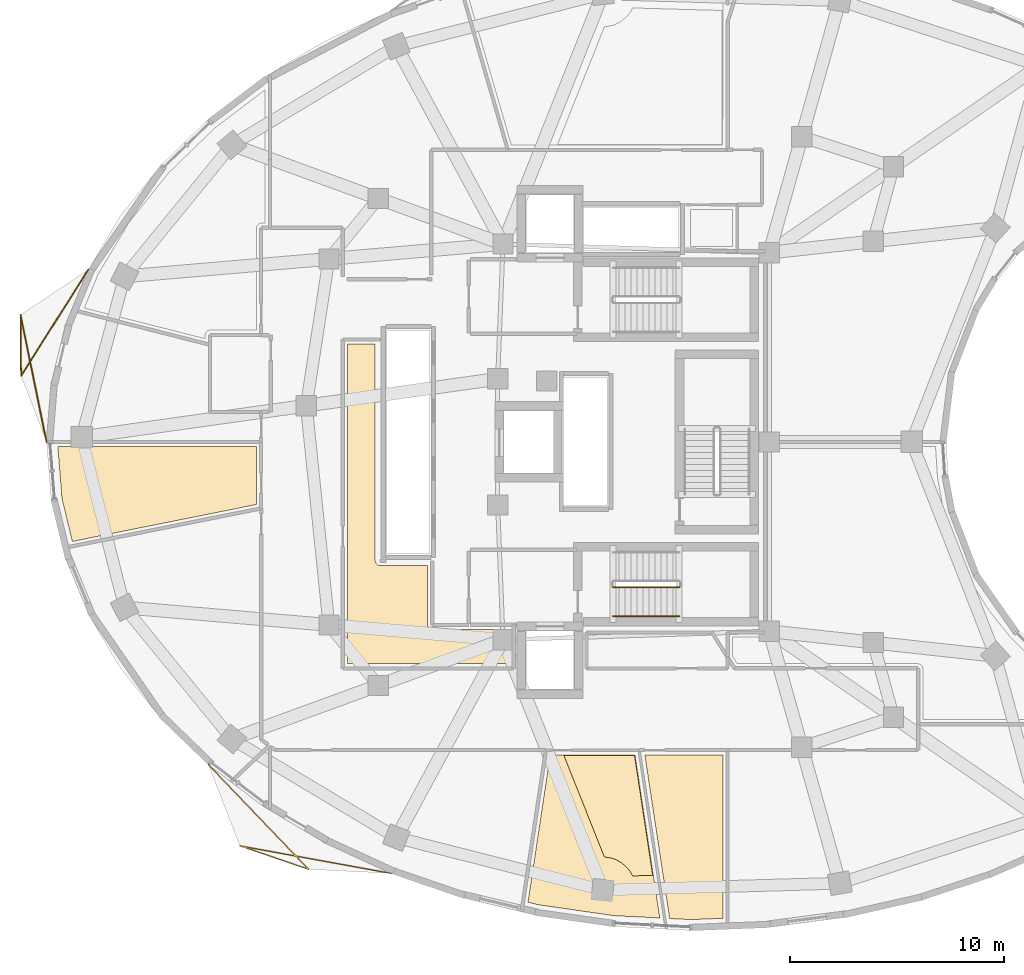
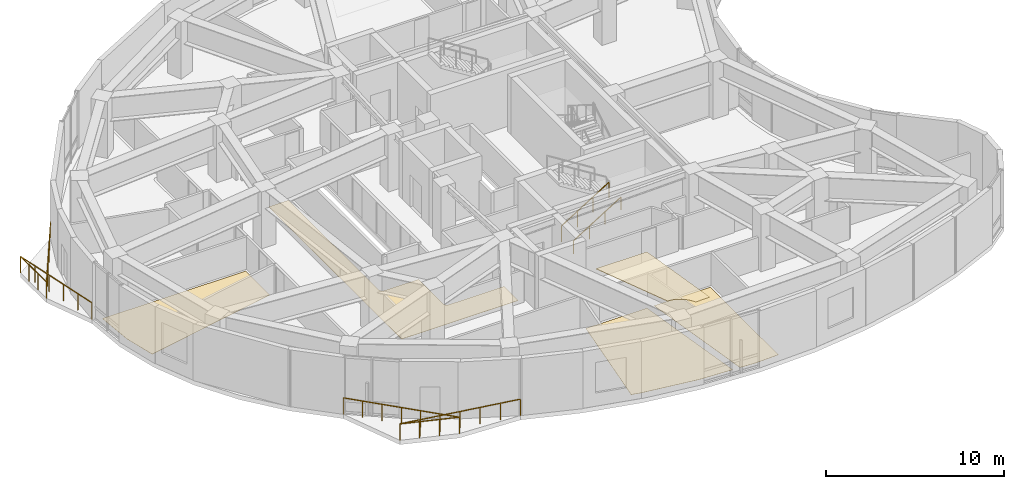
# One storey, part 12 of 14: 5 coverings, 4 railings.
"""IFC4 building model written with IfcOpenShell, lengths in metres."""

from ifc_helpers import new_model, si_unit, direction, frame, origin, origin_2d, place, context, subcontext, project, spatial, polyline, rectangle, outline, extrude, material, layer, layer_set, type_object, element, save


model = new_model("IFC4")

# Units and contexts
model_context = context("Model", 3, precision=1e-05, world=origin(), true_north=direction((0.0, 1.0)))
body_context = subcontext(model_context, "Body", "Model", "MODEL_VIEW")
ifc_project = project(units=[si_unit("LENGTHUNIT", "METRE"), si_unit("AREAUNIT", "SQUARE_METRE"), si_unit("VOLUMEUNIT", "CUBIC_METRE"), si_unit("PLANEANGLEUNIT", "RADIAN"), si_unit("MASSUNIT", "GRAM", prefix="KILO")], contexts=[model_context])

# Site, building, storey
site_placement = place(None, origin())
site = spatial("IfcSite", under=ifc_project, at=site_placement, CompositionType="ELEMENT")
building_placement = place(site_placement, origin())
building = spatial("IfcBuilding", under=site, at=building_placement, Name="Korentha Bioscience Tower", CompositionType="ELEMENT")
storey_placement = place(building_placement, frame((0.0, 0.0, 239.39990234375)))
storey = spatial("IfcBuildingStorey", under=building, at=storey_placement, Name="L55", CompositionType="ELEMENT", Elevation=239.39990234375)

# Railings
ifc_material_1 = material(Name="Stainless Steel 304", Category="steel")
railing_type_1 = type_object("IfcRailingType", Name="Brushed Stainless Stair Handrail 900", PredefinedType="HANDRAIL", material=ifc_material_1)
railing_1_placement = place(storey_placement, frame((30.25, 18.85009765625, 0.175048828125)))
element("IfcRailing", 1, at=railing_1_placement, inside=storey, type_object=railing_type_1, Name="L55 ST-2 stair handrail 1", PredefinedType="HANDRAIL", context=body_context, shape_type="SweptSolid", body=[
    extrude(rectangle(XDim=0.048095703125, YDim=0.048095703125, at=origin_2d()), frame((0.0, 0.0, 0.8759765625), z_axis=(0.847998304005, 0.0, 0.529998940003), x_axis=(0.0, 1.0, 0.0)), (0.0, 0.0, 1.0), 3.632080078125),
    extrude(rectangle(XDim=0.0419921875, YDim=0.0419921875, at=origin_2d()), origin(), (0.0, 0.0, 1.0), 0.851806640625),
    extrude(rectangle(XDim=0.0419921875, YDim=0.0419921875, at=origin_2d()), frame((1.026611328125, 0.0, 0.6416015625)), (0.0, 0.0, 1.0), 0.851806640625),
    extrude(rectangle(XDim=0.0419921875, YDim=0.0419921875, at=origin_2d()), frame((2.053466796875, 0.0, 1.283447265625)), (0.0, 0.0, 1.0), 0.851806640625),
    extrude(rectangle(XDim=0.0419921875, YDim=0.0419921875, at=origin_2d()), frame((3.080078125, 0.0, 1.925048828125)), (0.0, 0.0, 1.0), 0.851806640625),
])
ifc_material_2 = material(Name="Laminated Tempered Safety Glass", Category="glass")
railing_type_2 = type_object("IfcRailingType", Name="Laminated Glass Balcony Guardrail 1150", PredefinedType="BALUSTRADE", material=ifc_material_2)
railing_2_placement = place(storey_placement, frame((5.711181640625, 35.0625, 0.0)))
element("IfcRailing", 2, at=railing_2_placement, inside=storey, type_object=railing_type_2, Name="L55 Balcony Guardrail 02", PredefinedType="BALUSTRADE", context=body_context, shape_type="SweptSolid", body=[
    extrude(rectangle(XDim=0.048095703125, YDim=0.048095703125, at=origin_2d()), frame((0.0, 0.0, 1.1259765625), z_axis=(-0.533819879904, -0.845598211812, 0.0), x_axis=(0.845598211812, -0.533819879904, 0.0)), (0.0, 0.0, 1.0), 5.89013671875),
    extrude(rectangle(XDim=0.048095703125, YDim=0.048095703125, at=origin_2d()), frame((-3.144287109375, -4.980712890625, 1.1259765625), z_axis=(-0.008946472209, 0.999959979517, 0.0), x_axis=(-0.999959979517, -0.008946472209, 0.0)), (0.0, 0.0, 1.0), 2.865234375),
    extrude(rectangle(XDim=0.048095703125, YDim=0.048095703125, at=origin_2d()), frame((-3.169921875, -2.115478515625, 1.1259765625), z_axis=(0.200298844151, -0.97973484833, 0.0), x_axis=(0.97973484833, 0.200298844151, 0.0)), (0.0, 0.0, 1.0), 6.070068359375),
    extrude(rectangle(XDim=0.0419921875, YDim=0.0419921875, at=origin_2d()), origin(), (0.0, 0.0, 1.0), 1.101806640625),
    extrude(rectangle(XDim=0.0419921875, YDim=0.0419921875, at=origin_2d()), frame((-0.62890625, -0.99609375, 0.0)), (0.0, 0.0, 1.0), 1.101806640625),
    extrude(rectangle(XDim=0.0419921875, YDim=0.0419921875, at=origin_2d()), frame((-1.2578125, -1.9921875, 0.0)), (0.0, 0.0, 1.0), 1.101806640625),
    extrude(rectangle(XDim=0.0419921875, YDim=0.0419921875, at=origin_2d()), frame((-1.886474609375, -2.988525390625, 0.0)), (0.0, 0.0, 1.0), 1.101806640625),
    extrude(rectangle(XDim=0.0419921875, YDim=0.0419921875, at=origin_2d()), frame((-2.515380859375, -3.984619140625, 0.0)), (0.0, 0.0, 1.0), 1.101806640625),
    extrude(rectangle(XDim=0.0419921875, YDim=0.0419921875, at=origin_2d()), frame((-3.144287109375, -4.980712890625, 0.0)), (0.0, 0.0, 1.0), 1.101806640625),
    extrude(rectangle(XDim=0.0419921875, YDim=0.0419921875, at=origin_2d()), frame((-3.15283203125, -4.025634765625, 0.0)), (0.0, 0.0, 1.0), 1.101806640625),
    extrude(rectangle(XDim=0.0419921875, YDim=0.0419921875, at=origin_2d()), frame((-3.161376953125, -3.070556640625, 0.0)), (0.0, 0.0, 1.0), 1.101806640625),
    extrude(rectangle(XDim=0.0419921875, YDim=0.0419921875, at=origin_2d()), frame((-3.169921875, -2.115478515625, 0.0)), (0.0, 0.0, 1.0), 1.101806640625),
    extrude(rectangle(XDim=0.0419921875, YDim=0.0419921875, at=origin_2d()), frame((-2.9267578125, -3.304931640625, 0.0)), (0.0, 0.0, 1.0), 1.101806640625),
    extrude(rectangle(XDim=0.0419921875, YDim=0.0419921875, at=origin_2d()), frame((-2.68359375, -4.494384765625, 0.0)), (0.0, 0.0, 1.0), 1.101806640625),
    extrude(rectangle(XDim=0.0419921875, YDim=0.0419921875, at=origin_2d()), frame((-2.4404296875, -5.68359375, 0.0)), (0.0, 0.0, 1.0), 1.101806640625),
    extrude(rectangle(XDim=0.0419921875, YDim=0.0419921875, at=origin_2d()), frame((-2.197265625, -6.873046875, 0.0)), (0.0, 0.0, 1.0), 1.101806640625),
    extrude(rectangle(XDim=0.0419921875, YDim=0.0419921875, at=origin_2d()), frame((-1.9541015625, -8.0625, 0.0)), (0.0, 0.0, 1.0), 1.101806640625),
])
railing_3_placement = place(storey_placement, frame((11.322509765625, 11.912353515625, 0.0)))
element("IfcRailing", 3, at=railing_3_placement, inside=storey, type_object=railing_type_2, Name="L55 Balcony Guardrail 03", PredefinedType="BALUSTRADE", context=body_context, shape_type="SweptSolid", body=[
    extrude(rectangle(XDim=0.048095703125, YDim=0.048095703125, at=origin_2d()), frame((0.0, 0.0, 1.1259765625), z_axis=(0.691788854958, -0.72209984085, 0.0), x_axis=(0.72209984085, 0.691788854958, 0.0)), (0.0, 0.0, 1.0), 6.781982421875),
    extrude(rectangle(XDim=0.048095703125, YDim=0.048095703125, at=origin_2d()), frame((4.691650390625, -4.897216796875, 1.1259765625), z_axis=(-0.946245473075, 0.323449385043, 0.0), x_axis=(-0.323449385043, -0.946245473075, 0.0)), (0.0, 0.0, 1.0), 3.4033203125),
    extrude(rectangle(XDim=0.048095703125, YDim=0.048095703125, at=origin_2d()), frame((1.47119140625, -3.79638671875, 1.1259765625), z_axis=(0.983857413842, -0.178954153986, 0.0), x_axis=(0.178954153986, 0.983857413842, 0.0)), (0.0, 0.0, 1.0), 7.19091796875),
    extrude(rectangle(XDim=0.0419921875, YDim=0.0419921875, at=origin_2d()), origin(), (0.0, 0.0, 1.0), 1.101806640625),
    extrude(rectangle(XDim=0.0419921875, YDim=0.0419921875, at=origin_2d()), frame((0.781982421875, -0.816162109375, 0.0)), (0.0, 0.0, 1.0), 1.101806640625),
    extrude(rectangle(XDim=0.0419921875, YDim=0.0419921875, at=origin_2d()), frame((1.56396484375, -1.63232421875, 0.0)), (0.0, 0.0, 1.0), 1.101806640625),
    extrude(rectangle(XDim=0.0419921875, YDim=0.0419921875, at=origin_2d()), frame((2.345703125, -2.44873046875, 0.0)), (0.0, 0.0, 1.0), 1.101806640625),
    extrude(rectangle(XDim=0.0419921875, YDim=0.0419921875, at=origin_2d()), frame((3.127685546875, -3.264892578125, 0.0)), (0.0, 0.0, 1.0), 1.101806640625),
    extrude(rectangle(XDim=0.0419921875, YDim=0.0419921875, at=origin_2d()), frame((3.90966796875, -4.0810546875, 0.0)), (0.0, 0.0, 1.0), 1.101806640625),
    extrude(rectangle(XDim=0.0419921875, YDim=0.0419921875, at=origin_2d()), frame((4.691650390625, -4.897216796875, 0.0)), (0.0, 0.0, 1.0), 1.101806640625),
    extrude(rectangle(XDim=0.0419921875, YDim=0.0419921875, at=origin_2d()), frame((3.6181640625, -4.5302734375, 0.0)), (0.0, 0.0, 1.0), 1.101806640625),
    extrude(rectangle(XDim=0.0419921875, YDim=0.0419921875, at=origin_2d()), frame((2.544677734375, -4.163330078125, 0.0)), (0.0, 0.0, 1.0), 1.101806640625),
    extrude(rectangle(XDim=0.0419921875, YDim=0.0419921875, at=origin_2d()), frame((1.47119140625, -3.79638671875, 0.0)), (0.0, 0.0, 1.0), 1.101806640625),
    extrude(rectangle(XDim=0.0419921875, YDim=0.0419921875, at=origin_2d()), frame((2.650390625, -4.0107421875, 0.0)), (0.0, 0.0, 1.0), 1.101806640625),
    extrude(rectangle(XDim=0.0419921875, YDim=0.0419921875, at=origin_2d()), frame((3.82958984375, -4.225341796875, 0.0)), (0.0, 0.0, 1.0), 1.101806640625),
    extrude(rectangle(XDim=0.0419921875, YDim=0.0419921875, at=origin_2d()), frame((5.0087890625, -4.43994140625, 0.0)), (0.0, 0.0, 1.0), 1.101806640625),
    extrude(rectangle(XDim=0.0419921875, YDim=0.0419921875, at=origin_2d()), frame((6.187744140625, -4.654296875, 0.0)), (0.0, 0.0, 1.0), 1.101806640625),
    extrude(rectangle(XDim=0.0419921875, YDim=0.0419921875, at=origin_2d()), frame((7.366943359375, -4.86865234375, 0.0)), (0.0, 0.0, 1.0), 1.101806640625),
    extrude(rectangle(XDim=0.0419921875, YDim=0.0419921875, at=origin_2d()), frame((8.546142578125, -5.083251953125, 0.0)), (0.0, 0.0, 1.0), 1.101806640625),
])

# Covering
ifc_material_3 = material(Name="Antimicrobial Mineral Fibre Board", Category="gypsum")
ifc_layer_1 = layer(ifc_material_3, 0.034912109375, Name="Antimicrobial Mineral Fibre Board")
ifc_layer_set_1 = layer_set([ifc_layer_1], Name="Antimicrobial Mineral Fibre Board (CL-MF35)")
covering_type_1 = type_object("IfcCoveringType", Name="Mineral-Fibre Cleanroom Suspended Ceiling 35", PredefinedType="CEILING", material=ifc_layer_set_1)
covering_1_placement = place(storey_placement, frame((0.0, 0.0, 3.864990234375)))
element("IfcCovering", 4, at=covering_1_placement, inside=storey, type_object=covering_type_1, Name="L55 Clinical Trials Data Office 05 Acoustic Ceiling", PredefinedType="CEILING", context=body_context, shape_type="SweptSolid", body=[
    extrude(outline(polyline([(32.09814453125, 6.736328125), (31.159423828125, 6.70947265625), (31.048095703125, 6.909912109375), (30.95751953125, 7.031982421875), (30.855224609375, 7.144775390625), (30.620361328125, 7.337646484375), (30.3525390625, 7.480712890625), (30.209228515625, 7.531982421875), (29.837890625, 7.594970703125), (27.948974609375, 12.3388671875), (31.248291015625, 12.33984375), (32.09814453125, 6.736328125)])), origin(), (0.0, 0.0, 1.0), 0.03515625),
])

# Railing
ifc_material_4 = material(Name="Painted Steel S275", Category="steel")
railing_type_3 = type_object("IfcRailingType", Name="Painted Steel Stair Well Guardrail 1100", PredefinedType="GUARDRAIL", material=ifc_material_4)
railing_4_placement = place(storey_placement, frame((30.25, 20.199951171875, 0.175048828125)))
element("IfcRailing", 5, at=railing_4_placement, inside=storey, type_object=railing_type_3, Name="L55 ST-2 stair guard 1", PredefinedType="GUARDRAIL", context=body_context, shape_type="SweptSolid", body=[
    extrude(rectangle(XDim=0.048095703125, YDim=0.048095703125, at=origin_2d()), frame((0.0, 0.0, 1.076171875), z_axis=(0.847998304005, 0.0, 0.529998940003), x_axis=(0.0, 1.0, 0.0)), (0.0, 0.0, 1.0), 3.632080078125),
    extrude(rectangle(XDim=0.0419921875, YDim=0.0419921875, at=origin_2d()), origin(), (0.0, 0.0, 1.0), 1.052001953125),
    extrude(rectangle(XDim=0.0419921875, YDim=0.0419921875, at=origin_2d()), frame((1.026611328125, 0.0, 0.6416015625)), (0.0, 0.0, 1.0), 1.052001953125),
    extrude(rectangle(XDim=0.0419921875, YDim=0.0419921875, at=origin_2d()), frame((2.053466796875, 0.0, 1.283447265625)), (0.0, 0.0, 1.0), 1.052001953125),
    extrude(rectangle(XDim=0.0419921875, YDim=0.0419921875, at=origin_2d()), frame((3.080078125, 0.0, 1.925048828125)), (0.0, 0.0, 1.0), 1.052001953125),
])

# Coverings
ifc_material_5 = material(Name="Chemical-Resistant Epoxy Resin", Category="polymer")
ifc_layer_2 = layer(ifc_material_5, 0.011962890625, Name="Chemical-Resistant Epoxy Resin")
ifc_layer_set_2 = layer_set([ifc_layer_2], Name="Chemical-Resistant Epoxy Resin (FL-EPX)")
covering_type_2 = type_object("IfcCoveringType", Name="Seamless Epoxy Laboratory Flooring 12", PredefinedType="FLOORING", material=ifc_layer_set_2)
covering_2_placement = place(storey_placement, origin())
element("IfcCovering", 6, at=covering_2_placement, inside=storey, type_object=covering_type_2, Name="L55 Staff Pantry Kitchenette 01 Floor Finish", PredefinedType="FLOORING", context=body_context, shape_type="SweptSolid", body=[
    extrude(outline(polyline([(13.570068359375, 26.778076171875), (13.570068359375, 24.07421875), (4.964599609375, 22.347412109375), (4.4814453125, 24.3408203125), (4.286376953125, 26.778076171875), (13.570068359375, 26.778076171875)])), origin(), (0.0, 0.0, 1.0), 0.01220703125),
])
covering_3_placement = place(storey_placement, origin())
element("IfcCovering", 7, at=covering_3_placement, inside=storey, type_object=covering_type_2, Name="L55 Biomechanical Motion Analysis Lab 03 Floor Finish", PredefinedType="FLOORING", context=body_context, shape_type="SweptSolid", body=[
    extrude(outline(polyline([(19.1201171875, 31.570068359375), (19.1201171875, 21.449951171875), (19.16552734375, 21.3125), (19.251220703125, 21.2421875), (19.339111328125, 21.22021484375), (21.570068359375, 21.219970703125), (21.570068359375, 18.449951171875), (21.58349609375, 18.3720703125), (21.62939453125, 18.2958984375), (21.7021484375, 18.241943359375), (21.800048828125, 18.219970703125), (25.3798828125, 18.219970703125), (25.3798828125, 16.6298828125), (17.830078125, 16.6298828125), (17.830078125, 31.570068359375), (19.1201171875, 31.570068359375)])), origin(), (0.0, 0.0, 1.0), 0.01220703125),
])
covering_4_placement = place(storey_placement, origin())
element("IfcCovering", 8, at=covering_4_placement, inside=storey, type_object=covering_type_2, Name="L55 Clinical Trials Data Office 05 Floor Finish", PredefinedType="FLOORING", context=body_context, shape_type="SweptSolid", body=[
    extrude(outline(polyline([(27.305908203125, 12.36865234375), (31.274169921875, 12.369873046875), (32.43115234375, 4.7412109375), (30.299072265625, 4.85009765625), (26.760498046875, 5.35693359375), (26.26708984375, 5.47509765625), (27.305908203125, 12.36865234375)])), origin(), (0.0, 0.0, 1.0), 0.01220703125),
])
covering_5_placement = place(storey_placement, origin())
element("IfcCovering", 9, at=covering_5_placement, inside=storey, type_object=covering_type_2, Name="L55 Bioinformatics Data Collaboration Hub 07 Floor Finish", PredefinedType="FLOORING", context=body_context, shape_type="SweptSolid", body=[
    extrude(outline(polyline([(31.729248046875, 12.3701171875), (35.3779296875, 12.3701171875), (35.3779296875, 4.72509765625), (33.893310546875, 4.66650390625), (32.889892578125, 4.7177734375), (31.729248046875, 12.3701171875)])), origin(), (0.0, 0.0, 1.0), 0.01220703125),
])

save(model, "model.ifc")
